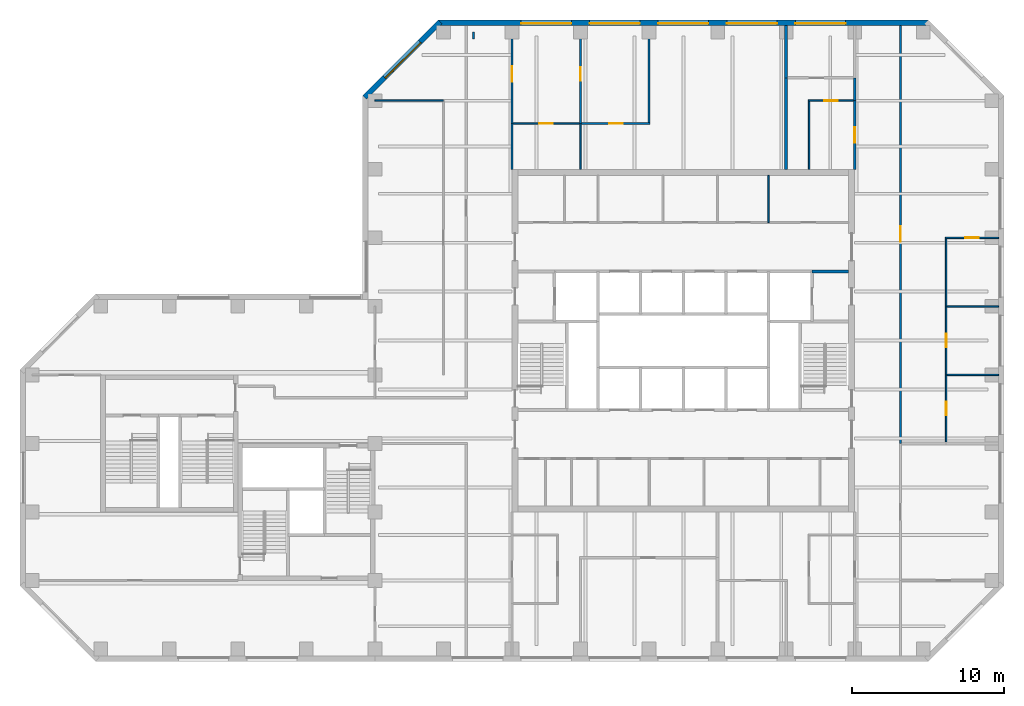
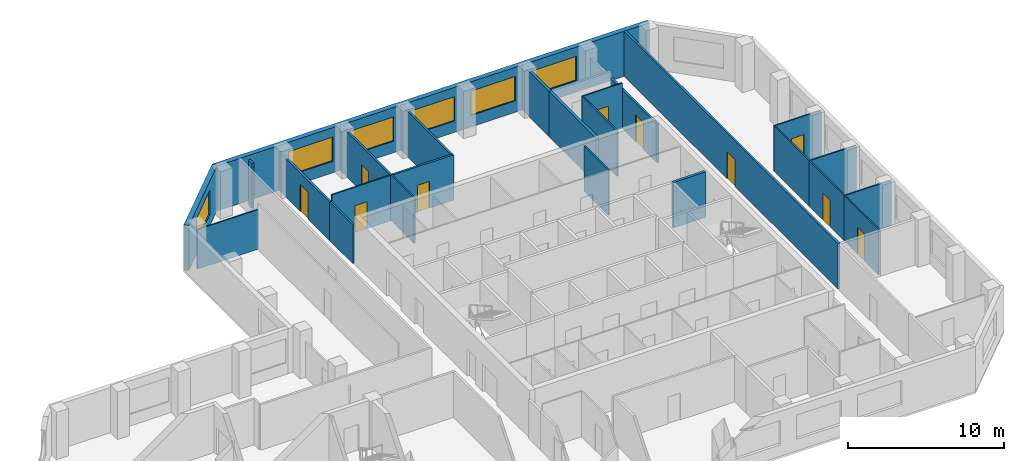
# One storey, part 6 of 8: 26 walls, 10 doors, 6 windows, 16 openings.
"""IFC4 building model written with IfcOpenShell, lengths in metres."""

from ifc_helpers import new_model, si_unit, direction, frame, frame_2d, origin, place, context, subcontext, project, spatial, rectangle, extrude, material, layer, layer_set, constituent, constituent_set, type_object, element, fill, save


model = new_model("IFC4")

# Units and contexts
model_context = context("Model", 3, precision=1e-05, world=origin(), true_north=direction((0.0, 1.0)))
body_context = subcontext(model_context, "Body", "Model", "MODEL_VIEW")
ifc_project = project(units=[si_unit("LENGTHUNIT", "METRE"), si_unit("AREAUNIT", "SQUARE_METRE"), si_unit("VOLUMEUNIT", "CUBIC_METRE"), si_unit("PLANEANGLEUNIT", "RADIAN"), si_unit("MASSUNIT", "GRAM", prefix="KILO")], contexts=[model_context])

# Site, building, storey
site_placement = place(None, origin())
site = spatial("IfcSite", under=ifc_project, at=site_placement, CompositionType="ELEMENT")
building_placement = place(site_placement, origin())
building = spatial("IfcBuilding", under=site, at=building_placement, Name="Quoin Convention Tower", CompositionType="ELEMENT")
storey_placement = place(building_placement, frame((0.0, 0.0, 211.89990234375)))
storey = spatial("IfcBuildingStorey", under=building, at=storey_placement, Name="L55", CompositionType="ELEMENT", Elevation=211.89990234375)

# Wall, opening, door
ifc_material_1 = material(Name="Plasterboard")
ifc_layer_1 = layer(ifc_material_1, 0.012451171875, Name="Finish")
ifc_material_2 = material(Name="Steel stud framing", Category="steel")
ifc_layer_2 = layer(ifc_material_2, 0.125, Name="Structure")
ifc_layer_3 = layer(ifc_material_1, 0.012451171875, Name="Finish")
ifc_layer_set_1 = layer_set([ifc_layer_1, ifc_layer_2, ifc_layer_3], Name="Steel stud framing")
wall_type_1 = type_object("IfcWallType", Name="Acoustic partition 150", PredefinedType="PARTITIONING", material=ifc_layer_set_1)
wall_1_placement = place(storey_placement, frame((49.574951171875, 75.0, 0.0), z_axis=(0.0, 0.0, 1.0), x_axis=(1.0, 0.0, 0.0)))
wall_1 = element("IfcWall", 1, at=wall_1_placement, inside=storey, type_object=wall_type_1, Name="pw-L55-022", PredefinedType="PARTITIONING", context=body_context, shape_type="SweptSolid", body=[
    extrude(rectangle(XDim=4.5, YDim=0.14990234375, at=frame_2d((2.25, 0.0))), origin(), (0.0, 0.0, 1.0), 3.550048828125),
])
opening_1_placement = place(wall_1_placement, frame((1.800048828125, 0.0, 0.0)))
opening_1 = element("IfcOpeningElement", 2, at=opening_1_placement, cuts=wall_1, Name="Opening DOH9-06", PredefinedType="OPENING", context=body_context, shape_type="SweptSolid", body=[
    extrude(rectangle(XDim=0.89990234375, YDim=2.10009765625, at=frame_2d((0.449951171875, 1.050048828125))), frame((0.0, 0.0849609375, 0.0), z_axis=(0.0, -1.0, 0.0), x_axis=(1.0, 0.0, 0.0)), (0.0, 0.0, 1.0), 0.169921875),
])
ifc_material_3 = material(Name="Steel door leaf", Category="steel")
door_type_1 = type_object("IfcDoorType", Name="Office door 900 x 2100", OperationType="SINGLE_SWING_RIGHT", PredefinedType="DOOR", material=ifc_material_3)
door_1_placement = place(opening_1_placement, frame((0.89990234375, 0.0, 0.0), z_axis=(0.0, 0.0, 1.0), x_axis=(-1.0, 0.0, 0.0)))
door_1 = element("IfcDoor", 3, at=door_1_placement, inside=storey, type_object=door_type_1, Name="dr-L55-16", OperationType="SINGLE_SWING_LEFT", OverallHeight=2.10009765625, OverallWidth=0.89990234375, PredefinedType="DOOR", context=body_context, shape_type="SweptSolid", body=[
    extrude(rectangle(XDim=0.89990234375, YDim=2.10009765625, at=frame_2d((0.449951171875, 1.050048828125))), frame((0.0, 0.02490234375, 0.0), z_axis=(0.0, -1.0, 0.0), x_axis=(1.0, 0.0, 0.0)), (0.0, 0.0, 1.0), 0.050048828125),
])
fill(opening_1, door_1)

wall_2_placement = place(storey_placement, frame((49.5, 75.0, 0.0), z_axis=(0.0, 0.0, 1.0), x_axis=(0.0, 1.0, 0.0)))
wall_2 = element("IfcWall", 4, at=wall_2_placement, inside=storey, type_object=wall_type_1, Name="pw-L55-061", PredefinedType="PARTITIONING", context=body_context, shape_type="SweptSolid", body=[
    extrude(rectangle(XDim=6.449951171875, YDim=0.14990234375, at=frame_2d((3.22509765625, 0.0))), origin(), (0.0, 0.0, 1.0), 3.550048828125),
])
opening_2_placement = place(wall_2_placement, frame((2.800048828125, 0.0, 0.0)))
opening_2 = element("IfcOpeningElement", 5, at=opening_2_placement, cuts=wall_2, Name="Opening DOH9-21", PredefinedType="OPENING", context=body_context, shape_type="SweptSolid", body=[
    extrude(rectangle(XDim=0.89990234375, YDim=2.10009765625, at=frame_2d((0.449951171875, 1.050048828125))), frame((0.0, 0.0849609375, 0.0), z_axis=(0.0, -1.0, 0.0), x_axis=(1.0, 0.0, 0.0)), (0.0, 0.0, 1.0), 0.169921875),
])
door_2_placement = place(opening_2_placement, frame((0.89990234375, 0.0, 0.0), z_axis=(0.0, 0.0, 1.0), x_axis=(-1.0, 0.0, 0.0)))
door_2 = element("IfcDoor", 6, at=door_2_placement, inside=storey, type_object=door_type_1, Name="dr-L55-14", OperationType="SINGLE_SWING_LEFT", OverallHeight=2.10009765625, OverallWidth=0.89990234375, PredefinedType="DOOR", context=body_context, shape_type="SweptSolid", body=[
    extrude(rectangle(XDim=0.89990234375, YDim=2.10009765625, at=frame_2d((0.449951171875, 1.050048828125))), frame((0.0, 0.02490234375, 0.0), z_axis=(0.0, -1.0, 0.0), x_axis=(1.0, 0.0, 0.0)), (0.0, 0.0, 1.0), 0.050048828125),
])
fill(opening_2, door_2)

# Wall
wall_3_placement = place(storey_placement, frame((54.0, 75.074951171875, 0.0), z_axis=(0.0, 0.0, 1.0), x_axis=(0.0, 1.0, 0.0)))
element("IfcWall", 7, at=wall_3_placement, inside=storey, type_object=wall_type_1, Name="pw-L55-062", PredefinedType="PARTITIONING", context=body_context, shape_type="SweptSolid", body=[
    extrude(rectangle(XDim=6.375, YDim=0.14990234375, at=frame_2d((3.1875, 0.0))), origin(), (0.0, 0.0, 1.0), 3.550048828125),
])

# Wall, openings, windows
ifc_material_4 = material(Name="Brick masonry", Category="masonry")
ifc_layer_4 = layer(ifc_material_4, 0.35009765625)
ifc_layer_set_2 = layer_set([ifc_layer_4], Name="Brick masonry")
wall_type_2 = type_object("IfcWallType", Name="Brick facade wall", PredefinedType="STANDARD", material=ifc_layer_set_2)
wall_4_placement = place(storey_placement, frame((72.331298828125, 81.625, 0.0), z_axis=(0.0, 0.0, 1.0), x_axis=(-1.0, 0.0, 0.0)))
wall_4 = element("IfcWall", 8, at=wall_4_placement, inside=storey, type_object=wall_type_2, Name="fw-L55-72000_81000", PredefinedType="STANDARD", context=body_context, shape_type="SweptSolid", body=[
    extrude(rectangle(XDim=32.16259765625, YDim=0.35009765625, at=frame_2d((16.081298828125, 0.0))), origin(), (0.0, 0.0, 1.0), 3.525146484375),
])
opening_3_placement = place(wall_4_placement, frame((5.431396484375, 0.0, 0.89990234375)))
opening_3 = element("IfcOpeningElement", 9, at=opening_3_placement, cuts=wall_4, Name="Opening W-02", PredefinedType="OPENING", context=body_context, shape_type="SweptSolid", body=[
    extrude(rectangle(XDim=3.300048828125, YDim=1.89990234375, at=frame_2d((1.64990234375, 0.949951171875))), frame((0.0, 0.18505859375, 0.0), z_axis=(0.0, -1.0, 0.0), x_axis=(1.0, 0.0, 0.0)), (0.0, 0.0, 1.0), 0.3701171875),
])
opening_4_placement = place(wall_4_placement, frame((9.931396484375, 0.0, 0.89990234375)))
opening_4 = element("IfcOpeningElement", 10, at=opening_4_placement, cuts=wall_4, Name="Opening W-02", PredefinedType="OPENING", context=body_context, shape_type="SweptSolid", body=[
    extrude(rectangle(XDim=3.300048828125, YDim=1.89990234375, at=frame_2d((1.64990234375, 0.949951171875))), frame((0.0, 0.18505859375, 0.0), z_axis=(0.0, -1.0, 0.0), x_axis=(1.0, 0.0, 0.0)), (0.0, 0.0, 1.0), 0.3701171875),
])
opening_5_placement = place(wall_4_placement, frame((14.431396484375, 0.0, 0.89990234375)))
opening_5 = element("IfcOpeningElement", 11, at=opening_5_placement, cuts=wall_4, Name="Opening W-02", PredefinedType="OPENING", context=body_context, shape_type="SweptSolid", body=[
    extrude(rectangle(XDim=3.300048828125, YDim=1.89990234375, at=frame_2d((1.64990234375, 0.949951171875))), frame((0.0, 0.18505859375, 0.0), z_axis=(0.0, -1.0, 0.0), x_axis=(1.0, 0.0, 0.0)), (0.0, 0.0, 1.0), 0.3701171875),
])
opening_6_placement = place(wall_4_placement, frame((18.931396484375, 0.0, 0.89990234375)))
opening_6 = element("IfcOpeningElement", 12, at=opening_6_placement, cuts=wall_4, Name="Opening W-02", PredefinedType="OPENING", context=body_context, shape_type="SweptSolid", body=[
    extrude(rectangle(XDim=3.300048828125, YDim=1.89990234375, at=frame_2d((1.64990234375, 0.949951171875))), frame((0.0, 0.18505859375, 0.0), z_axis=(0.0, -1.0, 0.0), x_axis=(1.0, 0.0, 0.0)), (0.0, 0.0, 1.0), 0.3701171875),
])
opening_7_placement = place(wall_4_placement, frame((23.431396484375, 0.0, 0.89990234375)))
opening_7 = element("IfcOpeningElement", 13, at=opening_7_placement, cuts=wall_4, Name="Opening W-02", PredefinedType="OPENING", context=body_context, shape_type="SweptSolid", body=[
    extrude(rectangle(XDim=3.300048828125, YDim=1.89990234375, at=frame_2d((1.64990234375, 0.949951171875))), frame((0.0, 0.18505859375, 0.0), z_axis=(0.0, -1.0, 0.0), x_axis=(1.0, 0.0, 0.0)), (0.0, 0.0, 1.0), 0.3701171875),
])
ifc_material_5 = material(Name="Aluminium", Category="aluminium")
ifc_constituent_1 = constituent(ifc_material_5, Name="Frame")
ifc_material_6 = material(Name="Insulated glass", Category="glass")
ifc_constituent_2 = constituent(ifc_material_6, Name="Glazing")
ifc_constituent_set = constituent_set(constituents=[ifc_constituent_1, ifc_constituent_2], Name="Aluminium")
window_type = type_object("IfcWindowType", Name="Office window", PartitioningType="DOUBLE_PANEL_VERTICAL", PredefinedType="WINDOW", material=ifc_constituent_set)
window_1_placement = place(opening_3_placement, origin())
window_1 = element("IfcWindow", 14, at=window_1_placement, inside=storey, type_object=window_type, Name="win-L55-65250_81625", OverallHeight=1.89990234375, OverallWidth=3.300048828125, PartitioningType="SINGLE_PANEL", PredefinedType="WINDOW", context=body_context, shape_type="SweptSolid", body=[
    extrude(rectangle(XDim=3.300048828125, YDim=1.89990234375, at=frame_2d((1.64990234375, 0.949951171875))), frame((0.0, 0.0849609375, 0.0), z_axis=(0.0, -1.0, 0.0), x_axis=(1.0, 0.0, 0.0)), (0.0, 0.0, 1.0), 0.06005859375),
])
fill(opening_3, window_1)
window_2_placement = place(opening_4_placement, origin())
window_2 = element("IfcWindow", 15, at=window_2_placement, inside=storey, type_object=window_type, Name="win-L55-60750_81625", OverallHeight=1.89990234375, OverallWidth=3.300048828125, PartitioningType="SINGLE_PANEL", PredefinedType="WINDOW", context=body_context, shape_type="SweptSolid", body=[
    extrude(rectangle(XDim=3.300048828125, YDim=1.89990234375, at=frame_2d((1.64990234375, 0.949951171875))), frame((0.0, 0.0849609375, 0.0), z_axis=(0.0, -1.0, 0.0), x_axis=(1.0, 0.0, 0.0)), (0.0, 0.0, 1.0), 0.06005859375),
])
fill(opening_4, window_2)
window_3_placement = place(opening_5_placement, origin())
window_3 = element("IfcWindow", 16, at=window_3_placement, inside=storey, type_object=window_type, Name="win-L55-56250_81625", OverallHeight=1.89990234375, OverallWidth=3.300048828125, PartitioningType="SINGLE_PANEL", PredefinedType="WINDOW", context=body_context, shape_type="SweptSolid", body=[
    extrude(rectangle(XDim=3.300048828125, YDim=1.89990234375, at=frame_2d((1.64990234375, 0.949951171875))), frame((0.0, 0.0849609375, 0.0), z_axis=(0.0, -1.0, 0.0), x_axis=(1.0, 0.0, 0.0)), (0.0, 0.0, 1.0), 0.06005859375),
])
fill(opening_5, window_3)
window_4_placement = place(opening_6_placement, origin())
window_4 = element("IfcWindow", 17, at=window_4_placement, inside=storey, type_object=window_type, Name="win-L55-51750_81625", OverallHeight=1.89990234375, OverallWidth=3.300048828125, PartitioningType="SINGLE_PANEL", PredefinedType="WINDOW", context=body_context, shape_type="SweptSolid", body=[
    extrude(rectangle(XDim=3.300048828125, YDim=1.89990234375, at=frame_2d((1.64990234375, 0.949951171875))), frame((0.0, 0.0849609375, 0.0), z_axis=(0.0, -1.0, 0.0), x_axis=(1.0, 0.0, 0.0)), (0.0, 0.0, 1.0), 0.06005859375),
])
fill(opening_6, window_4)
window_5_placement = place(opening_7_placement, origin())
window_5 = element("IfcWindow", 18, at=window_5_placement, inside=storey, type_object=window_type, Name="win-L55-47250_81625", OverallHeight=1.89990234375, OverallWidth=3.300048828125, PartitioningType="SINGLE_PANEL", PredefinedType="WINDOW", context=body_context, shape_type="SweptSolid", body=[
    extrude(rectangle(XDim=3.300048828125, YDim=1.89990234375, at=frame_2d((1.64990234375, 0.949951171875))), frame((0.0, 0.0849609375, 0.0), z_axis=(0.0, -1.0, 0.0), x_axis=(1.0, 0.0, 0.0)), (0.0, 0.0, 1.0), 0.06005859375),
])
fill(opening_7, window_5)

# Wall, opening, window
wall_5_placement = place(storey_placement, frame((40.29248046875, 81.67626953125, 0.0), z_axis=(0.0, 0.0, 1.0), x_axis=(-0.707106781187, -0.707106781187, 0.0)))
wall_5 = element("IfcWall", 19, at=wall_5_placement, inside=storey, type_object=wall_type_2, Name="fw-L55-40500_81000", PredefinedType="STANDARD", context=body_context, shape_type="SweptSolid", body=[
    extrude(rectangle(XDim=7.02685546875, YDim=0.35009765625, at=frame_2d((3.513427734375, 0.0))), origin(), (0.0, 0.0, 1.0), 3.525146484375),
])
opening_8_placement = place(wall_5_placement, frame((1.86328125, 0.0, 0.89990234375)))
opening_8 = element("IfcOpeningElement", 20, at=opening_8_placement, cuts=wall_5, Name="Opening W-02", PredefinedType="OPENING", context=body_context, shape_type="SweptSolid", body=[
    extrude(rectangle(XDim=3.300048828125, YDim=1.89990234375, at=frame_2d((1.64990234375, 0.949951171875))), frame((0.0, 0.18505859375, 0.0), z_axis=(0.0, -1.0, 0.0), x_axis=(1.0, 0.0, 0.0)), (0.0, 0.0, 1.0), 0.3701171875),
])
window_6_placement = place(opening_8_placement, origin())
window_6 = element("IfcWindow", 21, at=window_6_placement, inside=storey, type_object=window_type, Name="win-L55-37808_79192", OverallHeight=1.89990234375, OverallWidth=3.300048828125, PartitioningType="SINGLE_PANEL", PredefinedType="WINDOW", context=body_context, shape_type="SweptSolid", body=[
    extrude(rectangle(XDim=3.300048828125, YDim=1.89990234375, at=frame_2d((1.64990234375, 0.949951171875))), frame((0.0, 0.0849609375, 0.0), z_axis=(0.0, -1.0, 0.0), x_axis=(1.0, 0.0, 0.0)), (0.0, 0.0, 1.0), 0.06005859375),
])
fill(opening_8, window_6)

# Walls
ifc_layer_5 = layer(ifc_material_1, 0.012451171875, Name="Finish")
ifc_layer_6 = layer(ifc_material_2, 0.074951171875, Name="Structure")
ifc_layer_7 = layer(ifc_material_1, 0.012451171875, Name="Finish")
ifc_layer_set_3 = layer_set([ifc_layer_5, ifc_layer_6, ifc_layer_7], Name="Steel stud framing")
wall_type_3 = type_object("IfcWallType", Name="Core partition wall", PredefinedType="PARTITIONING", material=ifc_layer_set_3)
wall_6_placement = place(storey_placement, frame((61.85009765625, 68.5, 0.0), z_axis=(0.0, 0.0, 1.0), x_axis=(0.0, 1.0, 0.0)))
element("IfcWall", 22, at=wall_6_placement, inside=storey, type_object=wall_type_3, Name="cr-C1-L55-v16850_19000", PredefinedType="PARTITIONING", context=body_context, shape_type="SweptSolid", body=[
    extrude(rectangle(XDim=3.10009765625, YDim=0.10009765625, at=frame_2d((1.550048828125, 0.0))), origin(), (0.0, 0.0, 1.0), 3.550048828125),
])
ifc_material_7 = material(Name="Concrete C50", Category="concrete")
ifc_layer_8 = layer(ifc_material_7, 0.199951171875)
ifc_layer_set_4 = layer_set([ifc_layer_8], Name="Concrete C50")
wall_type_4 = type_object("IfcWallType", Name="Core shaft wall", PredefinedType="SOLIDWALL", material=ifc_layer_set_4)
wall_7_placement = place(storey_placement, frame((64.699951171875, 65.300048828125, 0.0), z_axis=(0.0, 0.0, 1.0), x_axis=(1.0, 0.0, 0.0)))
element("IfcWall", 23, at=wall_7_placement, inside=storey, type_object=wall_type_4, Name="cr-C1-L55-h15800_19700", PredefinedType="SOLIDWALL", context=body_context, shape_type="SweptSolid", body=[
    extrude(rectangle(XDim=2.400146484375, YDim=0.199951171875, at=frame_2d((1.2001953125, 0.0))), origin(), (0.0, 0.0, 1.0), 3.550048828125),
])

# Wall, opening, door
ifc_layer_9 = layer(ifc_material_1, 0.012451171875, Name="Finish")
ifc_layer_10 = layer(ifc_material_2, 0.125, Name="Structure")
ifc_layer_11 = layer(ifc_material_1, 0.012451171875, Name="Finish")
ifc_layer_set_5 = layer_set([ifc_layer_9, ifc_layer_10, ifc_layer_11], Name="Steel stud framing")
wall_type_5 = type_object("IfcWallType", Name="Corridor wall 150", PredefinedType="PARTITIONING", material=ifc_layer_set_5)
wall_8_placement = place(storey_placement, frame((70.5, 54.0, 0.0), z_axis=(0.0, 0.0, 1.0), x_axis=(0.0, 1.0, 0.0)))
wall_8 = element("IfcWall", 24, at=wall_8_placement, inside=storey, type_object=wall_type_5, Name="pw-L55-048", PredefinedType="PARTITIONING", context=body_context, shape_type="SweptSolid", body=[
    extrude(rectangle(XDim=27.449951171875, YDim=0.14990234375, at=frame_2d((13.72509765625, 0.0))), origin(), (0.0, 0.0, 1.0), 3.550048828125),
])
opening_9_placement = place(wall_8_placement, frame((13.25, 0.0, 0.0)))
opening_9 = element("IfcOpeningElement", 25, at=opening_9_placement, cuts=wall_8, Name="Opening DOH9-15", PredefinedType="OPENING", context=body_context, shape_type="SweptSolid", body=[
    extrude(rectangle(XDim=1.0, YDim=2.10009765625, at=frame_2d((0.5, 1.050048828125))), frame((0.0, 0.0849609375, 0.0), z_axis=(0.0, -1.0, 0.0), x_axis=(1.0, 0.0, 0.0)), (0.0, 0.0, 1.0), 0.169921875),
])
door_type_2 = type_object("IfcDoorType", Name="Tenancy entrance door 1000 x 2100", OperationType="DOUBLE_DOOR_SINGLE_SWING", PredefinedType="DOOR", material=ifc_material_3)
door_3_placement = place(opening_9_placement, frame((1.0, 0.0, 0.0), z_axis=(0.0, 0.0, 1.0), x_axis=(-1.0, 0.0, 0.0)))
door_3 = element("IfcDoor", 26, at=door_3_placement, inside=storey, type_object=door_type_2, Name="dr-L55-22", OperationType="DOUBLE_DOOR_SINGLE_SWING", OverallHeight=2.10009765625, OverallWidth=1.0, PredefinedType="DOOR", context=body_context, shape_type="SweptSolid", body=[
    extrude(rectangle(XDim=1.0, YDim=2.10009765625, at=frame_2d((0.5, 1.050048828125))), frame((0.0, 0.02490234375, 0.0), z_axis=(0.0, -1.0, 0.0), x_axis=(1.0, 0.0, 0.0)), (0.0, 0.0, 1.0), 0.050048828125),
])
fill(opening_9, door_3)

# Walls
wall_9_placement = place(storey_placement, frame((42.469970703125, 80.550048828125, 0.0), z_axis=(0.0, 0.0, 1.0), x_axis=(0.0, 1.0, 0.0)))
element("IfcWall", 27, at=wall_9_placement, inside=storey, type_object=wall_type_5, Name="pw-L55-w06", PredefinedType="PARTITIONING", context=body_context, shape_type="SweptSolid", body=[
    extrude(rectangle(XDim=0.449951171875, YDim=0.14990234375, at=frame_2d((0.22509765625, 0.0))), origin(), (0.0, 0.0, 1.0), 3.550048828125),
])
ifc_layer_12 = layer(ifc_material_1, 0.012451171875, Name="Finish")
ifc_layer_13 = layer(ifc_material_2, 0.125, Name="Structure")
ifc_layer_14 = layer(ifc_material_1, 0.012451171875, Name="Finish")
ifc_layer_set_6 = layer_set([ifc_layer_12, ifc_layer_13, ifc_layer_14], Name="Steel stud framing")
wall_type_6 = type_object("IfcWallType", Name="Corridor wall 150 under beam 528", PredefinedType="PARTITIONING", material=ifc_layer_set_6)
wall_10_placement = place(storey_placement, frame((45.0, 72.0, 0.0), z_axis=(0.0, 0.0, 1.0), x_axis=(0.0, 1.0, 0.0)))
element("IfcWall", 28, at=wall_10_placement, inside=storey, type_object=wall_type_6, Name="pw-L55-055", PredefinedType="PARTITIONING", context=body_context, shape_type="SweptSolid", body=[
    extrude(rectangle(XDim=3.0, YDim=0.14990234375, at=frame_2d((1.5, 0.0))), origin(), (0.0, 0.0, 1.0), 3.022216796875),
])

# Wall, opening, door
wall_11_placement = place(storey_placement, frame((67.5, 72.0, 0.0), z_axis=(0.0, 0.0, 1.0), x_axis=(0.0, 1.0, 0.0)))
wall_11 = element("IfcWall", 29, at=wall_11_placement, inside=storey, type_object=wall_type_6, Name="pw-L55-059", PredefinedType="PARTITIONING", context=body_context, shape_type="SweptSolid", body=[
    extrude(rectangle(XDim=4.5, YDim=0.14990234375, at=frame_2d((2.25, 0.0))), origin(), (0.0, 0.0, 1.0), 3.022216796875),
])
opening_10_placement = place(wall_11_placement, frame((1.75, 0.0, 0.0)))
opening_10 = element("IfcOpeningElement", 30, at=opening_10_placement, cuts=wall_11, Name="Opening DOH9-19", PredefinedType="OPENING", context=body_context, shape_type="SweptSolid", body=[
    extrude(rectangle(XDim=1.0, YDim=2.10009765625, at=frame_2d((0.5, 1.050048828125))), frame((0.0, 0.0849609375, 0.0), z_axis=(0.0, -1.0, 0.0), x_axis=(1.0, 0.0, 0.0)), (0.0, 0.0, 1.0), 0.169921875),
])
door_4_placement = place(opening_10_placement, frame((1.0, 0.0, 0.0), z_axis=(0.0, 0.0, 1.0), x_axis=(-1.0, 0.0, 0.0)))
door_4 = element("IfcDoor", 31, at=door_4_placement, inside=storey, type_object=door_type_2, Name="dr-L55-17", OperationType="DOUBLE_DOOR_SINGLE_SWING", OverallHeight=2.10009765625, OverallWidth=1.0, PredefinedType="DOOR", context=body_context, shape_type="SweptSolid", body=[
    extrude(rectangle(XDim=1.0, YDim=2.10009765625, at=frame_2d((0.5, 1.050048828125))), frame((0.0, 0.02490234375, 0.0), z_axis=(0.0, -1.0, 0.0), x_axis=(1.0, 0.0, 0.0)), (0.0, 0.0, 1.0), 0.050048828125),
])
fill(opening_10, door_4)

wall_12_placement = place(storey_placement, frame((45.0, 75.0, 0.0), z_axis=(0.0, 0.0, 1.0), x_axis=(0.0, 1.0, 0.0)))
wall_12 = element("IfcWall", 32, at=wall_12_placement, inside=storey, type_object=wall_type_6, Name="pw-L55-060", PredefinedType="PARTITIONING", context=body_context, shape_type="SweptSolid", body=[
    extrude(rectangle(XDim=6.449951171875, YDim=0.14990234375, at=frame_2d((3.22509765625, 0.0))), origin(), (0.0, 0.0, 1.0), 3.022216796875),
])
opening_11_placement = place(wall_12_placement, frame((2.75, 0.0, 0.0)))
opening_11 = element("IfcOpeningElement", 33, at=opening_11_placement, cuts=wall_12, Name="Opening DOH9-20", PredefinedType="OPENING", context=body_context, shape_type="SweptSolid", body=[
    extrude(rectangle(XDim=1.0, YDim=2.10009765625, at=frame_2d((0.5, 1.050048828125))), frame((0.0, 0.0849609375, 0.0), z_axis=(0.0, -1.0, 0.0), x_axis=(1.0, 0.0, 0.0)), (0.0, 0.0, 1.0), 0.169921875),
])
door_5_placement = place(opening_11_placement, origin())
door_5 = element("IfcDoor", 34, at=door_5_placement, inside=storey, type_object=door_type_2, Name="dr-L55-13", OperationType="DOUBLE_DOOR_SINGLE_SWING", OverallHeight=2.10009765625, OverallWidth=1.0, PredefinedType="DOOR", context=body_context, shape_type="SweptSolid", body=[
    extrude(rectangle(XDim=1.0, YDim=2.10009765625, at=frame_2d((0.5, 1.050048828125))), frame((0.0, 0.02490234375, 0.0), z_axis=(0.0, -1.0, 0.0), x_axis=(1.0, 0.0, 0.0)), (0.0, 0.0, 1.0), 0.050048828125),
])
fill(opening_11, door_5)

# Walls
wall_13_placement = place(storey_placement, frame((67.5, 76.5, 0.0), z_axis=(0.0, 0.0, 1.0), x_axis=(0.0, 1.0, 0.0)))
element("IfcWall", 35, at=wall_13_placement, inside=storey, type_object=wall_type_6, Name="pw-L55-063", PredefinedType="PARTITIONING", context=body_context, shape_type="SweptSolid", body=[
    extrude(rectangle(XDim=1.5, YDim=0.14990234375, at=frame_2d((0.75, 0.0))), origin(), (0.0, 0.0, 1.0), 3.022216796875),
])
ifc_layer_15 = layer(ifc_material_1, 0.012451171875, Name="Finish")
ifc_layer_16 = layer(ifc_material_2, 0.074951171875, Name="Structure")
ifc_layer_17 = layer(ifc_material_1, 0.012451171875, Name="Finish")
ifc_layer_set_7 = layer_set([ifc_layer_15, ifc_layer_16, ifc_layer_17], Name="Steel stud framing")
wall_type_7 = type_object("IfcWallType", Name="Stud partition 100", PredefinedType="PARTITIONING", material=ifc_layer_set_7)
for number, where, z_axis, x_axis, name in (
    (36, (73.550048828125, 58.5, 0.0), (0.0, 0.0, 1.0), (1.0, 0.0, 0.0), "pw-L55-017"),
    (37, (73.550048828125, 63.0, 0.0), (0.0, 0.0, 1.0), (1.0, 0.0, 0.0), "pw-L55-019"),
):
    element("IfcWall", number, at=place(storey_placement, frame(where, z_axis=z_axis, x_axis=x_axis)), inside=storey, type_object=wall_type_7, Name=name, PredefinedType="PARTITIONING", context=body_context, shape_type="SweptSolid", body=[
        extrude(rectangle(XDim=3.39990234375, YDim=0.10009765625, at=frame_2d((1.699951171875, 0.0))), origin(), (0.0, 0.0, 1.0), 3.550048828125),
    ])

# Wall, opening, door
wall_14_placement = place(storey_placement, frame((73.449951171875, 67.5, 0.0), z_axis=(0.0, 0.0, 1.0), x_axis=(1.0, 0.0, 0.0)))
wall_14 = element("IfcWall", 38, at=wall_14_placement, inside=storey, type_object=wall_type_7, Name="pw-L55-020", PredefinedType="PARTITIONING", context=body_context, shape_type="SweptSolid", body=[
    extrude(rectangle(XDim=3.5, YDim=0.10009765625, at=frame_2d((1.75, 0.0))), origin(), (0.0, 0.0, 1.0), 3.550048828125),
])
opening_12_placement = place(wall_14_placement, frame((1.300048828125, 0.0, 0.0)))
opening_12 = element("IfcOpeningElement", 39, at=opening_12_placement, cuts=wall_14, Name="Opening DOH9-04", PredefinedType="OPENING", context=body_context, shape_type="SweptSolid", body=[
    extrude(rectangle(XDim=0.89990234375, YDim=2.10009765625, at=frame_2d((0.449951171875, 1.050048828125))), frame((0.0, 0.06005859375, 0.0), z_axis=(0.0, -1.0, 0.0), x_axis=(1.0, 0.0, 0.0)), (0.0, 0.0, 1.0), 0.1201171875),
])
door_6_placement = place(opening_12_placement, origin())
door_6 = element("IfcDoor", 40, at=door_6_placement, inside=storey, type_object=door_type_1, Name="dr-L55-25", OperationType="SINGLE_SWING_RIGHT", OverallHeight=2.10009765625, OverallWidth=0.89990234375, PredefinedType="DOOR", context=body_context, shape_type="SweptSolid", body=[
    extrude(rectangle(XDim=0.89990234375, YDim=2.10009765625, at=frame_2d((0.449951171875, 1.050048828125))), frame((0.0, 0.02490234375, 0.0), z_axis=(0.0, -1.0, 0.0), x_axis=(1.0, 0.0, 0.0)), (0.0, 0.0, 1.0), 0.050048828125),
])
fill(opening_12, door_6)

wall_15_placement = place(storey_placement, frame((45.074951171875, 75.0, 0.0), z_axis=(0.0, 0.0, 1.0), x_axis=(1.0, 0.0, 0.0)))
wall_15 = element("IfcWall", 41, at=wall_15_placement, inside=storey, type_object=wall_type_7, Name="pw-L55-021", PredefinedType="PARTITIONING", context=body_context, shape_type="SweptSolid", body=[
    extrude(rectangle(XDim=4.35009765625, YDim=0.10009765625, at=frame_2d((2.175048828125, 0.0))), origin(), (0.0, 0.0, 1.0), 3.550048828125),
])
opening_13_placement = place(wall_15_placement, frame((1.699951171875, 0.0, 0.0)))
opening_13 = element("IfcOpeningElement", 42, at=opening_13_placement, cuts=wall_15, Name="Opening DOH9-05", PredefinedType="OPENING", context=body_context, shape_type="SweptSolid", body=[
    extrude(rectangle(XDim=0.89990234375, YDim=2.10009765625, at=frame_2d((0.449951171875, 1.050048828125))), frame((0.0, 0.06005859375, 0.0), z_axis=(0.0, -1.0, 0.0), x_axis=(1.0, 0.0, 0.0)), (0.0, 0.0, 1.0), 0.1201171875),
])
door_7_placement = place(opening_13_placement, frame((0.89990234375, 0.0, 0.0), z_axis=(0.0, 0.0, 1.0), x_axis=(-1.0, 0.0, 0.0)))
door_7 = element("IfcDoor", 43, at=door_7_placement, inside=storey, type_object=door_type_1, Name="dr-L55-15", OperationType="SINGLE_SWING_LEFT", OverallHeight=2.10009765625, OverallWidth=0.89990234375, PredefinedType="DOOR", context=body_context, shape_type="SweptSolid", body=[
    extrude(rectangle(XDim=0.89990234375, YDim=2.10009765625, at=frame_2d((0.449951171875, 1.050048828125))), frame((0.0, 0.02490234375, 0.0), z_axis=(0.0, -1.0, 0.0), x_axis=(1.0, 0.0, 0.0)), (0.0, 0.0, 1.0), 0.050048828125),
])
fill(opening_13, door_7)

wall_16_placement = place(storey_placement, frame((64.449951171875, 76.5, 0.0), z_axis=(0.0, 0.0, 1.0), x_axis=(1.0, 0.0, 0.0)))
wall_16 = element("IfcWall", 44, at=wall_16_placement, inside=storey, type_object=wall_type_7, Name="pw-L55-023", PredefinedType="PARTITIONING", context=body_context, shape_type="SweptSolid", body=[
    extrude(rectangle(XDim=2.97509765625, YDim=0.10009765625, at=frame_2d((1.487548828125, 0.0))), origin(), (0.0, 0.0, 1.0), 3.550048828125),
])
opening_14_placement = place(wall_16_placement, frame((1.050048828125, 0.0, 0.0)))
opening_14 = element("IfcOpeningElement", 45, at=opening_14_placement, cuts=wall_16, Name="Opening DOH9-07", PredefinedType="OPENING", context=body_context, shape_type="SweptSolid", body=[
    extrude(rectangle(XDim=0.89990234375, YDim=2.10009765625, at=frame_2d((0.449951171875, 1.050048828125))), frame((0.0, 0.06005859375, 0.0), z_axis=(0.0, -1.0, 0.0), x_axis=(1.0, 0.0, 0.0)), (0.0, 0.0, 1.0), 0.1201171875),
])
door_8_placement = place(opening_14_placement, origin())
door_8 = element("IfcDoor", 46, at=door_8_placement, inside=storey, type_object=door_type_1, Name="dr-L55-18", OperationType="SINGLE_SWING_RIGHT", OverallHeight=2.10009765625, OverallWidth=0.89990234375, PredefinedType="DOOR", context=body_context, shape_type="SweptSolid", body=[
    extrude(rectangle(XDim=0.89990234375, YDim=2.10009765625, at=frame_2d((0.449951171875, 1.050048828125))), frame((0.0, 0.02490234375, 0.0), z_axis=(0.0, -1.0, 0.0), x_axis=(1.0, 0.0, 0.0)), (0.0, 0.0, 1.0), 0.050048828125),
])
fill(opening_14, door_8)

wall_17_placement = place(storey_placement, frame((73.5, 54.10009765625, 0.0), z_axis=(0.0, 0.0, 1.0), x_axis=(0.0, 1.0, 0.0)))
wall_17 = element("IfcWall", 47, at=wall_17_placement, inside=storey, type_object=wall_type_7, Name="pw-L55-049", PredefinedType="PARTITIONING", context=body_context, shape_type="SweptSolid", body=[
    extrude(rectangle(XDim=4.39990234375, YDim=0.10009765625, at=frame_2d((2.199951171875, 0.0))), origin(), (0.0, 0.0, 1.0), 3.550048828125),
])
opening_15_placement = place(wall_17_placement, frame((1.75, 0.0, 0.0)))
opening_15 = element("IfcOpeningElement", 48, at=opening_15_placement, cuts=wall_17, Name="Opening DOH9-16", PredefinedType="OPENING", context=body_context, shape_type="SweptSolid", body=[
    extrude(rectangle(XDim=0.89990234375, YDim=2.10009765625, at=frame_2d((0.449951171875, 1.050048828125))), frame((0.0, 0.06005859375, 0.0), z_axis=(0.0, -1.0, 0.0), x_axis=(1.0, 0.0, 0.0)), (0.0, 0.0, 1.0), 0.1201171875),
])
door_9_placement = place(opening_15_placement, origin())
door_9 = element("IfcDoor", 49, at=door_9_placement, inside=storey, type_object=door_type_1, Name="dr-L55-23", OperationType="SINGLE_SWING_RIGHT", OverallHeight=2.10009765625, OverallWidth=0.89990234375, PredefinedType="DOOR", context=body_context, shape_type="SweptSolid", body=[
    extrude(rectangle(XDim=0.89990234375, YDim=2.10009765625, at=frame_2d((0.449951171875, 1.050048828125))), frame((0.0, 0.02490234375, 0.0), z_axis=(0.0, -1.0, 0.0), x_axis=(1.0, 0.0, 0.0)), (0.0, 0.0, 1.0), 0.050048828125),
])
fill(opening_15, door_9)

wall_18_placement = place(storey_placement, frame((73.5, 58.5, 0.0), z_axis=(0.0, 0.0, 1.0), x_axis=(0.0, 1.0, 0.0)))
wall_18 = element("IfcWall", 50, at=wall_18_placement, inside=storey, type_object=wall_type_7, Name="pw-L55-051", PredefinedType="PARTITIONING", context=body_context, shape_type="SweptSolid", body=[
    extrude(rectangle(XDim=4.5, YDim=0.10009765625, at=frame_2d((2.25, 0.0))), origin(), (0.0, 0.0, 1.0), 3.550048828125),
])
opening_16_placement = place(wall_18_placement, frame((1.800048828125, 0.0, 0.0)))
opening_16 = element("IfcOpeningElement", 51, at=opening_16_placement, cuts=wall_18, Name="Opening DOH9-18", PredefinedType="OPENING", context=body_context, shape_type="SweptSolid", body=[
    extrude(rectangle(XDim=0.89990234375, YDim=2.10009765625, at=frame_2d((0.449951171875, 1.050048828125))), frame((0.0, 0.06005859375, 0.0), z_axis=(0.0, -1.0, 0.0), x_axis=(1.0, 0.0, 0.0)), (0.0, 0.0, 1.0), 0.1201171875),
])
door_10_placement = place(opening_16_placement, origin())
door_10 = element("IfcDoor", 52, at=door_10_placement, inside=storey, type_object=door_type_1, Name="dr-L55-24", OperationType="SINGLE_SWING_RIGHT", OverallHeight=2.10009765625, OverallWidth=0.89990234375, PredefinedType="DOOR", context=body_context, shape_type="SweptSolid", body=[
    extrude(rectangle(XDim=0.89990234375, YDim=2.10009765625, at=frame_2d((0.449951171875, 1.050048828125))), frame((0.0, 0.02490234375, 0.0), z_axis=(0.0, -1.0, 0.0), x_axis=(1.0, 0.0, 0.0)), (0.0, 0.0, 1.0), 0.050048828125),
])
fill(opening_16, door_10)

# Walls
wall_19_placement = place(storey_placement, frame((73.5, 63.0, 0.0), z_axis=(0.0, 0.0, 1.0), x_axis=(0.0, 1.0, 0.0)))
element("IfcWall", 53, at=wall_19_placement, inside=storey, type_object=wall_type_7, Name="pw-L55-054", PredefinedType="PARTITIONING", context=body_context, shape_type="SweptSolid", body=[
    extrude(rectangle(XDim=4.449951171875, YDim=0.10009765625, at=frame_2d((2.22509765625, 0.0))), origin(), (0.0, 0.0, 1.0), 3.550048828125),
])
wall_20_placement = place(storey_placement, frame((49.5, 72.0, 0.0), z_axis=(0.0, 0.0, 1.0), x_axis=(0.0, 1.0, 0.0)))
element("IfcWall", 54, at=wall_20_placement, inside=storey, type_object=wall_type_7, Name="pw-L55-056", PredefinedType="PARTITIONING", context=body_context, shape_type="SweptSolid", body=[
    extrude(rectangle(XDim=3.0, YDim=0.10009765625, at=frame_2d((1.5, 0.0))), origin(), (0.0, 0.0, 1.0), 3.550048828125),
])
wall_21_placement = place(storey_placement, frame((64.5, 72.0, 0.0), z_axis=(0.0, 0.0, 1.0), x_axis=(0.0, 1.0, 0.0)))
element("IfcWall", 55, at=wall_21_placement, inside=storey, type_object=wall_type_7, Name="pw-L55-058", PredefinedType="PARTITIONING", context=body_context, shape_type="SweptSolid", body=[
    extrude(rectangle(XDim=4.449951171875, YDim=0.10009765625, at=frame_2d((2.22509765625, 0.0))), origin(), (0.0, 0.0, 1.0), 3.550048828125),
])
ifc_layer_18 = layer(ifc_material_1, 0.012451171875, Name="Finish")
ifc_layer_19 = layer(ifc_material_2, 0.074951171875, Name="Structure")
ifc_layer_20 = layer(ifc_material_1, 0.012451171875, Name="Finish")
ifc_layer_set_8 = layer_set([ifc_layer_18, ifc_layer_19, ifc_layer_20], Name="Steel stud framing")
wall_type_8 = type_object("IfcWallType", Name="Stud partition 100 under beam 454", PredefinedType="PARTITIONING", material=ifc_layer_set_8)
wall_22_placement = place(storey_placement, frame((36.0, 76.5, 0.0), z_axis=(0.0, 0.0, 1.0), x_axis=(1.0, 0.0, 0.0)))
element("IfcWall", 56, at=wall_22_placement, inside=storey, type_object=wall_type_8, Name="pw-L55-w01", PredefinedType="PARTITIONING", context=body_context, shape_type="SweptSolid", body=[
    extrude(rectangle(XDim=4.5, YDim=0.10009765625, at=frame_2d((2.25, 0.0))), origin(), (0.0, 0.0, 1.0), 3.09619140625),
])
ifc_layer_21 = layer(ifc_material_1, 0.012451171875, Name="Finish")
ifc_layer_22 = layer(ifc_material_2, 0.175048828125, Name="Structure")
ifc_layer_23 = layer(ifc_material_1, 0.012451171875, Name="Finish")
ifc_layer_set_9 = layer_set([ifc_layer_21, ifc_layer_22, ifc_layer_23], Name="Steel stud framing")
wall_type_9 = type_object("IfcWallType", Name="Tenancy demising wall 200", PredefinedType="PARTITIONING", material=ifc_layer_set_9)
wall_23_placement = place(storey_placement, frame((63.0, 72.0, 0.0), z_axis=(0.0, 0.0, 1.0), x_axis=(0.0, 1.0, 0.0)))
element("IfcWall", 57, at=wall_23_placement, inside=storey, type_object=wall_type_9, Name="pw-L55-057", PredefinedType="PARTITIONING", context=body_context, shape_type="SweptSolid", body=[
    extrude(rectangle(XDim=6.0, YDim=0.199951171875, at=frame_2d((3.0, 0.0))), origin(), (0.0, 0.0, 1.0), 3.550048828125),
])
wall_24_placement = place(storey_placement, frame((63.0, 78.0, 0.0), z_axis=(0.0, 0.0, 1.0), x_axis=(0.0, 1.0, 0.0)))
element("IfcWall", 58, at=wall_24_placement, inside=storey, type_object=wall_type_9, Name="pw-L55-064", PredefinedType="PARTITIONING", context=body_context, shape_type="SweptSolid", body=[
    extrude(rectangle(XDim=3.449951171875, YDim=0.199951171875, at=frame_2d((1.72509765625, 0.0))), origin(), (0.0, 0.0, 1.0), 3.550048828125),
])

save(model, "model.ifc")
